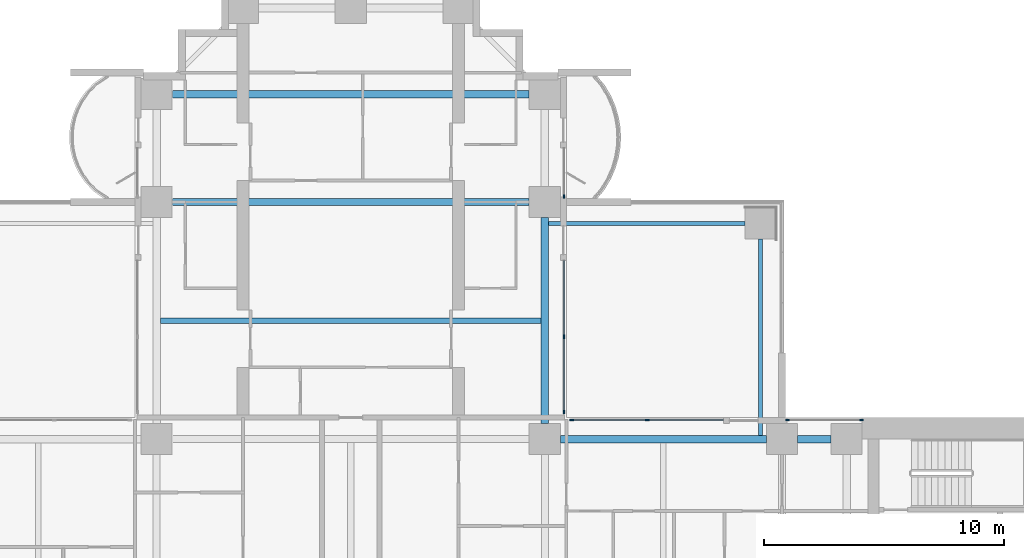
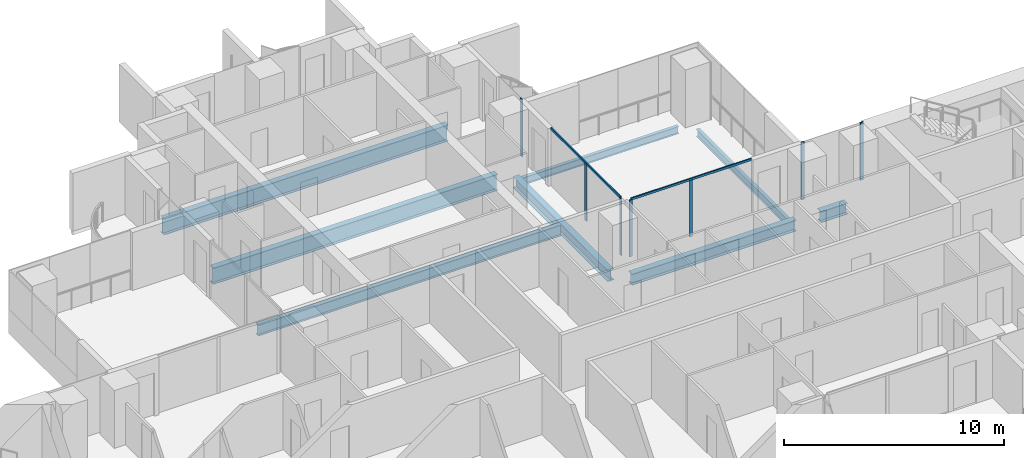
# One storey, part 6 of 21: 9 members, 8 beams, 4 elements without a shape of their own.
"""IFC4 building model written with IfcOpenShell, lengths in metres."""

import ifcopenshell
import ifcopenshell.guid

model = None  # the IFC model being written
_history = None  # IfcOwnerHistory: only IFC2X3 demands one
_inside = {}  # id of a spatial element -> (the spatial element, [elements in it])
_under = {}  # id of a project, library or spatial element -> (it, [spatial elements below it])
_declared = {}  # id of a project -> (the project, [libraries it declares])
_typed = {}  # id of a type object -> (the type object, [elements of that type])
_made_of = {}  # id of a material, layer set ... -> (it, [elements and type objects made of it])


def new_model(schema):
    """Start an empty IFC model of exactly this schema.

    Asked for "IFC4X3", IfcOpenShell would pick the latest addendum, in which some entities
    have other attributes; the version numbers below select the first issue.
    IFC2X3 requires an IfcOwnerHistory on every rooted entity: one is made here for all.
    """
    global model, _history
    if schema == "IFC4X3":
        model = ifcopenshell.file(schema_version=(4, 3, 0, 0))
    else:
        model = ifcopenshell.file(schema=schema)
    _inside.clear()
    _under.clear()
    _declared.clear()
    _typed.clear()
    _made_of.clear()
    _history = None
    if model.schema == "IFC2X3":
        org = make("IfcOrganization", Name="unknown")
        user = make(
            "IfcPersonAndOrganization",
            ThePerson=make("IfcPerson", FamilyName="unknown"),
            TheOrganization=org,
        )
        app = make(
            "IfcApplication",
            ApplicationDeveloper=org,
            Version="unknown",
            ApplicationFullName="unknown",
            ApplicationIdentifier="unknown",
        )
        _history = make(
            "IfcOwnerHistory",
            OwningUser=user,
            OwningApplication=app,
            ChangeAction="ADDED",
            CreationDate=0,
        )
    return model


def make(cls, **values):
    """One entity of the class cls with the attributes given. An attribute that is None is left unset."""
    return model.create_entity(
        cls, **{name: value for name, value in values.items() if value is not None}
    )


def rooted(cls, **values):
    """An entity with a GlobalId (a new one), such as an element, a storey or a relation."""
    return make(cls, GlobalId=ifcopenshell.guid.new(), OwnerHistory=_history, **values)


def si_unit(unit_type, name, prefix=None):
    """IfcSIUnit, for example si_unit("LENGTHUNIT", "METRE", prefix="MILLI")."""
    return make("IfcSIUnit", UnitType=unit_type, Prefix=prefix, Name=name)


def assignment(units):
    """IfcUnitAssignment: the units of a project."""
    return None if units is None else make("IfcUnitAssignment", Units=units)


def point(xyz):
    """IfcCartesianPoint."""
    return None if xyz is None else make("IfcCartesianPoint", Coordinates=xyz)


def direction(xyz):
    """IfcDirection."""
    return None if xyz is None else make("IfcDirection", DirectionRatios=xyz)


def frame(location, z_axis=None, x_axis=None):
    """IfcAxis2Placement3D, a coordinate frame: its origin and axes. An axis left out is left unset."""
    return make(
        "IfcAxis2Placement3D",
        Location=point(location),
        Axis=direction(z_axis),
        RefDirection=direction(x_axis),
    )


def frame_2d(location, x_axis=None):
    """IfcAxis2Placement2D, a coordinate frame in the plane: its origin and x axis."""
    return make(
        "IfcAxis2Placement2D", Location=point(location), RefDirection=direction(x_axis)
    )


def origin():
    """The frame at (0, 0, 0) with its axes left unset."""
    return frame((0.0, 0.0, 0.0))


def origin_2d():
    """The frame at (0, 0) in the plane with its x axis left unset."""
    return frame_2d((0.0, 0.0))


def place(relative_to, where):
    """IfcLocalPlacement: puts the frame where relative to a parent placement (None: the world)."""
    return make(
        "IfcLocalPlacement", PlacementRelTo=relative_to, RelativePlacement=where
    )


def context(
    kind, dimensions, precision=None, world=None, true_north=None, identifier=None
):
    """IfcGeometricRepresentationContext, for example the 3D "Model" context."""
    return make(
        "IfcGeometricRepresentationContext",
        ContextIdentifier=identifier,
        ContextType=kind,
        CoordinateSpaceDimension=dimensions,
        Precision=precision,
        WorldCoordinateSystem=world,
        TrueNorth=true_north,
    )


def subcontext(parent, identifier, kind, view, scale=None):
    """IfcGeometricRepresentationSubContext, for example "Body" below "Model"."""
    return make(
        "IfcGeometricRepresentationSubContext",
        ContextIdentifier=identifier,
        ContextType=kind,
        ParentContext=parent,
        TargetScale=scale,
        TargetView=view,
    )


def project(units=None, contexts=None):
    """IfcProject with its units and contexts."""
    return rooted(
        "IfcProject",
        Name="project",
        RepresentationContexts=contexts,
        UnitsInContext=assignment(units),
    )


def spatial(cls, under=None, at=None, **own):
    """A site, building, storey or space (cls), placed at a placement, below another one or the project."""
    s = rooted(cls, ObjectPlacement=at, **own)
    if under is not None:
        _under.setdefault(under.id(), (under, []))[1].append(s)
    return s


def profile(cls, at=None, kind="AREA", **sizes):
    """A parametric profile (cls). Its sizes go by their IFC names, for example OverallWidth=200.0."""
    return make(cls, ProfileType=kind, Position=at, **sizes)


def rectangle(**sizes):
    """IfcRectangleProfileDef."""
    return profile("IfcRectangleProfileDef", **sizes)


def i_section(**sizes):
    """IfcIShapeProfileDef."""
    return profile("IfcIShapeProfileDef", **sizes)


def extrude(swept, where, along, depth):
    """IfcExtrudedAreaSolid: the profile swept, set in the frame where, extruded along a direction by depth."""
    return make(
        "IfcExtrudedAreaSolid",
        SweptArea=swept,
        Position=where,
        ExtrudedDirection=direction(along),
        Depth=depth,
    )


def shape(context_of_items, identifier, shape_type, items):
    """IfcShapeRepresentation: the items that make up one representation, for example the "Body"."""
    return make(
        "IfcShapeRepresentation",
        ContextOfItems=context_of_items,
        RepresentationIdentifier=identifier,
        RepresentationType=shape_type,
        Items=items,
    )


def material(Name=None, Category=None):
    """IfcMaterial."""
    return make("IfcMaterial", Name=Name, Category=Category)


def material_profile(
    of_material, cross_section, Name=None, Category=None, Priority=None
):
    """IfcMaterialProfile: a cross section and its material."""
    return make(
        "IfcMaterialProfile",
        Name=Name,
        Material=of_material,
        Profile=cross_section,
        Priority=Priority,
        Category=Category,
    )


def profile_set(profiles, Name=None, composite=None):
    """IfcMaterialProfileSet."""
    return make(
        "IfcMaterialProfileSet",
        Name=Name,
        MaterialProfiles=profiles,
        CompositeProfile=composite,
    )


def made_of(thing, what):
    """Note that an element or type object is made of a material, layer set ...; save() writes the relation."""
    if what is not None:
        _made_of.setdefault(what.id(), (what, []))[1].append(thing)
    return thing


def type_object(cls, material=None, **own):
    """A type object (cls), such as IfcWallType, which elements share."""
    return made_of(rooted(cls, **own), material)


def element(
    cls,
    number,
    at=None,
    inside=None,
    cuts=None,
    type_object=None,
    material=None,
    context=None,
    identifier="Body",
    shape_type=None,
    held_by="IfcProductDefinitionShape",
    body=None,
    shapes=None,
    **own,
):
    """One element of the class cls, such as IfcWall. Its Tag is "e" and its number.

    at: its placement. inside: the storey or other place that contains it. cuts: it is an
    opening in that element (IfcRelVoidsElement). A single representation is given by context,
    identifier, shape_type and body (its items); several are given by shapes. held_by: the class
    of the entity that holds the representations. save() writes the other relations.
    """
    e = rooted(cls, Tag="e%d" % number, ObjectPlacement=at, **own)
    if body is not None:
        shapes = [shape(context, identifier, shape_type, body)]
    if shapes is not None:
        e.Representation = make(held_by, Representations=shapes)
    if inside is not None:
        _inside.setdefault(inside.id(), (inside, []))[1].append(e)
    if cuts is not None:
        rooted(
            "IfcRelVoidsElement", RelatingBuildingElement=cuts, RelatedOpeningElement=e
        )
    if type_object is not None:
        _typed.setdefault(type_object.id(), (type_object, []))[1].append(e)
    return made_of(e, material)


def aggregate(whole, parts):
    """IfcRelAggregates: a whole, such as a stair, and the parts it consists of."""
    return rooted("IfcRelAggregates", RelatingObject=whole, RelatedObjects=parts)


def save(model, path):
    """Write the relations noted so far, then the file.

    IfcRelAggregates (storeys below a building ...), IfcRelContainedInSpatialStructure (elements
    in a storey), IfcRelDefinesByType, IfcRelAssociatesMaterial and IfcRelDeclares: one each for
    every whole, place, type object, material and project.
    """
    for whole, parts in _under.values():
        aggregate(whole, parts)
    for where, things in _inside.values():
        rooted(
            "IfcRelContainedInSpatialStructure",
            RelatedElements=things,
            RelatingStructure=where,
        )
    for kind, things in _typed.values():
        rooted("IfcRelDefinesByType", RelatedObjects=things, RelatingType=kind)
    for what, things in _made_of.values():
        rooted("IfcRelAssociatesMaterial", RelatedObjects=things, RelatingMaterial=what)
    for by, libraries in _declared.values():
        rooted("IfcRelDeclares", RelatingContext=by, RelatedDefinitions=libraries)
    model.write(path)


model = new_model("IFC4")

# Units and contexts
model_context = context("Model", 3, precision=1e-05, world=origin(), true_north=direction((0.0, 1.0)))
body_context = subcontext(model_context, "Body", "Model", "MODEL_VIEW")
ifc_project = project(units=[si_unit("LENGTHUNIT", "METRE"), si_unit("AREAUNIT", "SQUARE_METRE"), si_unit("VOLUMEUNIT", "CUBIC_METRE"), si_unit("PLANEANGLEUNIT", "RADIAN"), si_unit("MASSUNIT", "GRAM", prefix="KILO")], contexts=[model_context])

# Site, building, storey
site_placement = place(None, origin())
site = spatial("IfcSite", under=ifc_project, at=site_placement, CompositionType="ELEMENT")
building_placement = place(site_placement, origin())
building = spatial("IfcBuilding", under=site, at=building_placement, Name="Perihelion Cross Residences", CompositionType="ELEMENT")
storey_placement = place(building_placement, frame((0.0, 0.0, 89.0)))
storey = spatial("IfcBuildingStorey", under=building, at=storey_placement, Name="L20", CompositionType="ELEMENT", Elevation=89.0)

# Curtain wall, members
ifc_material_1 = material(Name="Bronze anodised aluminium, tinted glazing", Category="aluminium")
curtain_wall_type = type_object("IfcCurtainWallType", Name="CW1", PredefinedType="NOTDEFINED", material=ifc_material_1)
curtain_wall_1_placement = place(storey_placement, origin())
curtain_wall_1 = element("IfcCurtainWall", 1, at=curtain_wall_1_placement, inside=storey, type_object=curtain_wall_type, Name="Curtain wall CW1 L20 east side north bay 1", PredefinedType="NOTDEFINED")
ifc_material_2 = material(Name="Bronze anodised aluminium", Category="aluminium")
ifc_material_profile_1 = material_profile(ifc_material_2, rectangle(XDim=0.06005859375, YDim=0.159912109375, at=origin_2d()), Name="CW1 mullion")
ifc_profile_set_1 = profile_set([ifc_material_profile_1], Name="Bronze anodised aluminium")
member_type_1 = type_object("IfcMemberType", Name="CW1 mullion", PredefinedType="MULLION", material=ifc_profile_set_1)
member_1_placement = place(storey_placement, frame((21.320068359375, 8.89990234375, 0.0), z_axis=(0.0, 0.0, 1.0), x_axis=(0.0, -1.0, 0.0)))
member_1 = element("IfcMember", 2, at=member_1_placement, type_object=member_type_1, Name="CW1 mullion 1", PredefinedType="MULLION", context=body_context, shape_type="SweptSolid", body=[
    extrude(rectangle(XDim=0.06005859375, YDim=0.159912109375, at=origin_2d()), origin(), (0.0, 0.0, 1.0), 3.199951171875),
])
member_2_placement = place(storey_placement, frame((18.22998046875, 8.89990234375, 0.0), z_axis=(0.0, 0.0, 1.0), x_axis=(0.0, -1.0, 0.0)))
member_2 = element("IfcMember", 3, at=member_2_placement, type_object=member_type_1, Name="CW1 mullion 2", PredefinedType="MULLION", context=body_context, shape_type="SweptSolid", body=[
    extrude(rectangle(XDim=0.06005859375, YDim=0.159912109375, at=origin_2d()), origin(), (0.0, 0.0, 1.0), 3.199951171875),
])
aggregate(curtain_wall_1, [member_1, member_2])

curtain_wall_2_placement = place(storey_placement, origin())
curtain_wall_2 = element("IfcCurtainWall", 4, at=curtain_wall_2_placement, inside=storey, type_object=curtain_wall_type, Name="Curtain wall CW1 L20 east side north bay 2", PredefinedType="NOTDEFINED")
member_3_placement = place(storey_placement, frame((12.375, 8.89990234375, 0.0), z_axis=(0.0, 0.0, 1.0), x_axis=(0.0, -1.0, 0.0)))
member_3 = element("IfcMember", 5, at=member_3_placement, type_object=member_type_1, Name="CW1 mullion 2", PredefinedType="MULLION", context=body_context, shape_type="SweptSolid", body=[
    extrude(rectangle(XDim=0.06005859375, YDim=0.159912109375, at=origin_2d()), origin(), (0.0, 0.0, 1.0), 3.139892578125),
])
member_4_placement = place(storey_placement, frame((9.22998046875, 8.89990234375, 0.0), z_axis=(0.0, 0.0, 1.0), x_axis=(0.0, -1.0, 0.0)))
member_4 = element("IfcMember", 6, at=member_4_placement, type_object=member_type_1, Name="CW1 mullion 3", PredefinedType="MULLION", context=body_context, shape_type="SweptSolid", body=[
    extrude(rectangle(XDim=0.06005859375, YDim=0.159912109375, at=origin_2d()), origin(), (0.0, 0.0, 1.0), 3.139892578125),
])

curtain_wall_3_placement = place(storey_placement, origin())
curtain_wall_3 = element("IfcCurtainWall", 7, at=curtain_wall_3_placement, inside=storey, type_object=curtain_wall_type, Name="Curtain wall CW1 L20 north side east bay 1", PredefinedType="NOTDEFINED")
member_5_placement = place(storey_placement, frame((8.89990234375, 9.22998046875, 0.0), z_axis=(0.0, 0.0, 1.0), x_axis=(-1.0, 0.0, 0.0)))
member_5 = element("IfcMember", 8, at=member_5_placement, type_object=member_type_1, Name="CW1 mullion 1", PredefinedType="MULLION", context=body_context, shape_type="SweptSolid", body=[
    extrude(rectangle(XDim=0.06005859375, YDim=0.159912109375, at=origin_2d()), origin(), (0.0, 0.0, 1.0), 3.139892578125),
])
member_6_placement = place(storey_placement, frame((8.89990234375, 12.375, 0.0), z_axis=(0.0, 0.0, 1.0), x_axis=(-1.0, 0.0, 0.0)))
member_6 = element("IfcMember", 9, at=member_6_placement, type_object=member_type_1, Name="CW1 mullion 2", PredefinedType="MULLION", context=body_context, shape_type="SweptSolid", body=[
    extrude(rectangle(XDim=0.06005859375, YDim=0.159912109375, at=origin_2d()), origin(), (0.0, 0.0, 1.0), 3.139892578125),
])

# Curtain wall, member
curtain_wall_4_placement = place(storey_placement, origin())
curtain_wall_4 = element("IfcCurtainWall", 10, at=curtain_wall_4_placement, inside=storey, type_object=curtain_wall_type, Name="Curtain wall CW1 L20 north side east bay 2", PredefinedType="NOTDEFINED")
member_7_placement = place(storey_placement, frame((8.89990234375, 18.22998046875, 0.0), z_axis=(0.0, 0.0, 1.0), x_axis=(-1.0, 0.0, 0.0)))
member_7 = element("IfcMember", 11, at=member_7_placement, type_object=member_type_1, Name="CW1 mullion 1", PredefinedType="MULLION", context=body_context, shape_type="SweptSolid", body=[
    extrude(rectangle(XDim=0.06005859375, YDim=0.159912109375, at=origin_2d()), origin(), (0.0, 0.0, 1.0), 3.199951171875),
])
aggregate(curtain_wall_4, [member_7])

# Member
ifc_material_3 = material(Name="Bronze anodised aluminium", Category="aluminium")
ifc_material_profile_2 = material_profile(ifc_material_3, rectangle(XDim=0.06005859375, YDim=0.1201171875, at=origin_2d()), Name="CW1 transom")
ifc_profile_set_2 = profile_set([ifc_material_profile_2], Name="Bronze anodised aluminium")
member_type_2 = type_object("IfcMemberType", Name="CW1 transom", PredefinedType="USERDEFINED", material=ifc_profile_set_2)
member_8_placement = place(storey_placement, frame((15.550048828125, 8.89990234375, 3.169921875), z_axis=(-1.0, 0.0, 0.0), x_axis=(0.0, -1.0, 0.0)))
member_8 = element("IfcMember", 12, at=member_8_placement, type_object=member_type_2, Name="CW1 head transom", ObjectType="TRANSOM", PredefinedType="USERDEFINED", context=body_context, shape_type="SweptSolid", body=[
    extrude(rectangle(XDim=0.06005859375, YDim=0.1201171875, at=origin_2d()), origin(), (0.0, 0.0, 1.0), 6.320068359375),
])

aggregate(curtain_wall_2, [member_3, member_4, member_8])

member_9_placement = place(storey_placement, frame((8.89990234375, 9.22998046875, 3.169921875), z_axis=(0.0, 1.0, 0.0), x_axis=(-1.0, 0.0, 0.0)))
member_9 = element("IfcMember", 13, at=member_9_placement, type_object=member_type_2, Name="CW1 head transom", ObjectType="TRANSOM", PredefinedType="USERDEFINED", context=body_context, shape_type="SweptSolid", body=[
    extrude(rectangle(XDim=0.06005859375, YDim=0.1201171875, at=origin_2d()), origin(), (0.0, 0.0, 1.0), 6.320068359375),
])

aggregate(curtain_wall_3, [member_5, member_6, member_9])

# Beams
ifc_material_4 = material(Name="Steel S355", Category="steel")
ifc_material_profile_3 = material_profile(ifc_material_4, i_section(OverallWidth=0.177978515625, OverallDepth=0.406005859375, WebThickness=0.0078125, FlangeThickness=0.0126953125, at=origin_2d()), Name="W410x60")
ifc_profile_set_3 = profile_set([ifc_material_profile_3], Name="Steel S355")
beam_type_1 = type_object("IfcBeamType", Name="Core edge beam W410x60", PredefinedType="BEAM", material=ifc_profile_set_3)
for number, where, z_axis, x_axis, name in (
    (14, (17.10009765625, 8.262451171875, -0.452880859375), (0.0, 1.0, 0.0), (-1.0, 0.0, 0.0), "Core edge beam TB2 L20 corner no. 7"),
    (15, (8.262451171875, 17.10009765625, -0.452880859375), (1.0, 0.0, 0.0), (0.0, 1.0, 0.0), "Core edge beam TB2 L20 corner no. 8"),
):
    element("IfcBeam", number, at=place(storey_placement, frame(where, z_axis=z_axis, x_axis=x_axis)), inside=storey, type_object=beam_type_1, Name=name, PredefinedType="BEAM", context=body_context, shape_type="SweptSolid", body=[
        extrude(i_section(OverallWidth=0.177978515625, OverallDepth=0.406005859375, WebThickness=0.0078125, FlangeThickness=0.0126953125, at=origin_2d()), origin(), (0.0, 0.0, 1.0), 8.1875),
    ])
ifc_material_5 = material(Name="Steel S355", Category="steel")
ifc_material_profile_4 = material_profile(ifc_material_5, i_section(OverallWidth=0.324951171875, OverallDepth=0.616943359375, WebThickness=0.013916015625, FlangeThickness=0.021484375, at=origin_2d()), Name="W610x174")
ifc_profile_set_4 = profile_set([ifc_material_profile_4], Name="Steel S355")
beam_type_2 = type_object("IfcBeamType", Name="Edge beam W610x174", PredefinedType="SPANDREL", material=ifc_profile_set_4)
beam_1_placement = place(storey_placement, frame((20.050048828125, 8.10009765625, -0.55859375), z_axis=(-1.0, 0.0, 0.0), x_axis=(0.0, -1.0, 0.0)))
element("IfcBeam", 16, at=beam_1_placement, inside=storey, type_object=beam_type_2, Name="Edge beam SB2 L20 no. 14", PredefinedType="SPANDREL", context=body_context, shape_type="SweptSolid", body=[
    extrude(i_section(OverallWidth=0.324951171875, OverallDepth=0.616943359375, WebThickness=0.013916015625, FlangeThickness=0.021484375, at=origin_2d()), origin(), (0.0, 0.0, 1.0), 1.400146484375),
])
for number, where, z_axis, x_axis, name in (
    (17, (17.35009765625, 8.10009765625, -0.55859375), (-1.0, 0.0, 0.0), (0.0, -1.0, 0.0), "Edge beam SB2 L20 no. 13"),
    (18, (8.10009765625, 8.75, -0.55859375), (0.0, 1.0, 0.0), (-1.0, 0.0, 0.0), "Edge beam SB2 L20 no. 20"),
):
    element("IfcBeam", number, at=place(storey_placement, frame(where, z_axis=z_axis, x_axis=x_axis)), inside=storey, type_object=beam_type_2, Name=name, PredefinedType="SPANDREL", context=body_context, shape_type="SweptSolid", body=[
        extrude(i_section(OverallWidth=0.324951171875, OverallDepth=0.616943359375, WebThickness=0.013916015625, FlangeThickness=0.021484375, at=origin_2d()), origin(), (0.0, 0.0, 1.0), 8.60009765625),
    ])
ifc_material_6 = material(Name="Steel S355", Category="steel")
ifc_material_profile_5 = material_profile(ifc_material_6, i_section(OverallWidth=0.304931640625, OverallDepth=0.904052734375, WebThickness=0.01513671875, FlangeThickness=0.02001953125, at=origin_2d()), Name="W920x201")
ifc_profile_set_5 = profile_set([ifc_material_profile_5], Name="Steel S355")
beam_type_3 = type_object("IfcBeamType", Name="Floor girder W920x201", PredefinedType="BEAM", material=ifc_profile_set_5)
for number, where, z_axis, x_axis, name in (
    (19, (-7.449951171875, 18.0, -0.701904296875), (1.0, 0.0, 0.0), (0.0, 1.0, 0.0), "Girder G2 L20 no. 5"),
    (20, (-7.449951171875, 22.5, -0.701904296875), (1.0, 0.0, 0.0), (0.0, 1.0, 0.0), "Girder G2 L20 no. 6"),
):
    element("IfcBeam", number, at=place(storey_placement, frame(where, z_axis=z_axis, x_axis=x_axis)), inside=storey, type_object=beam_type_3, Name=name, PredefinedType="BEAM", context=body_context, shape_type="SweptSolid", body=[
        extrude(i_section(OverallWidth=0.304931640625, OverallDepth=0.904052734375, WebThickness=0.01513671875, FlangeThickness=0.02001953125, at=origin_2d()), origin(), (0.0, 0.0, 1.0), 14.89990234375),
    ])
ifc_material_7 = material(Name="Steel S355", Category="steel")
ifc_material_profile_6 = material_profile(ifc_material_7, i_section(OverallWidth=0.22900390625, OverallDepth=0.612060546875, WebThickness=0.011962890625, FlangeThickness=0.01953125, at=origin_2d()), Name="W610x125")
ifc_profile_set_6 = profile_set([ifc_material_profile_6], Name="Steel S355")
beam_type_4 = type_object("IfcBeamType", Name="Floor joist W610x125", PredefinedType="JOIST", material=ifc_profile_set_6)
beam_2_placement = place(storey_placement, frame((-7.9375, 13.050048828125, -0.555908203125), z_axis=(1.0, 0.0, 0.0), x_axis=(0.0, 1.0, 0.0)))
element("IfcBeam", 21, at=beam_2_placement, inside=storey, type_object=beam_type_4, Name="Joist J3 L20 no. 4", PredefinedType="JOIST", context=body_context, shape_type="SweptSolid", body=[
    extrude(i_section(OverallWidth=0.22900390625, OverallDepth=0.612060546875, WebThickness=0.011962890625, FlangeThickness=0.01953125, at=origin_2d()), origin(), (0.0, 0.0, 1.0), 15.875),
])

save(model, "model.ifc")
